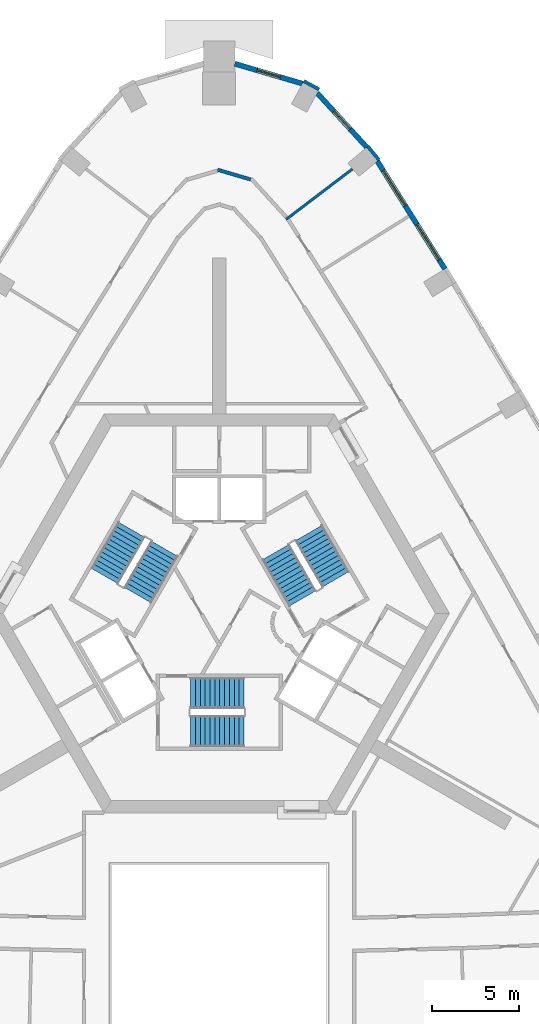
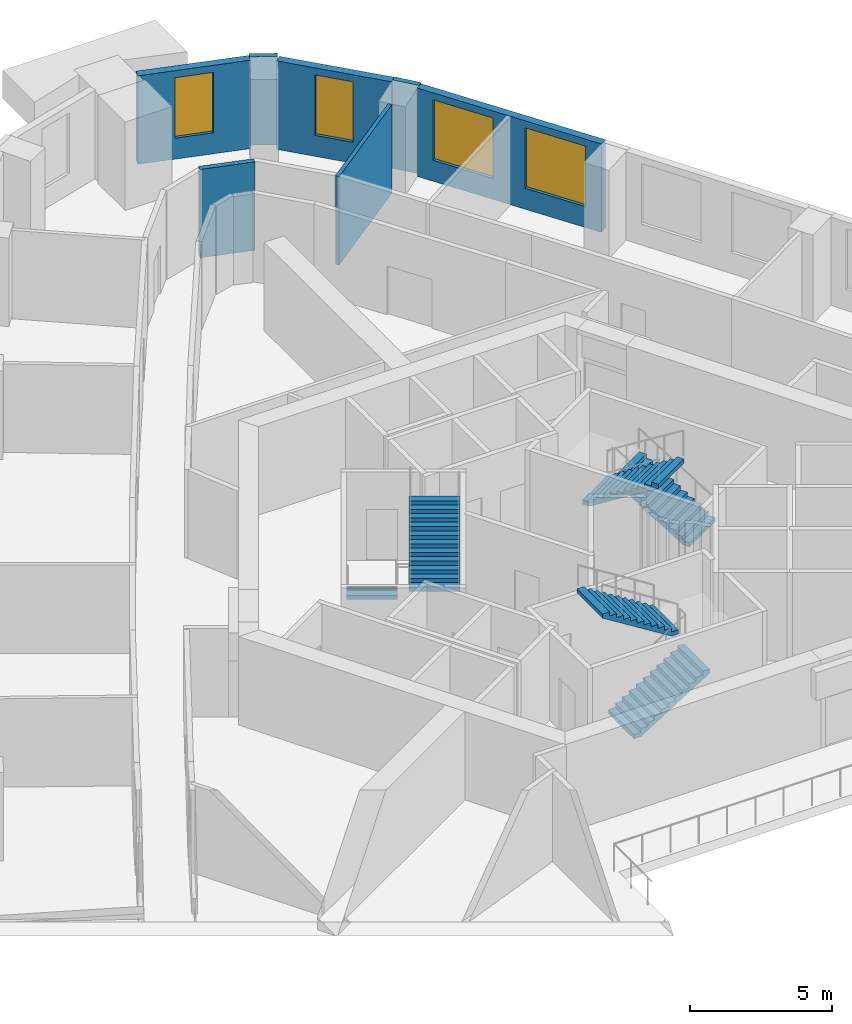
# One storey, part 10 of 13: 7 walls, 6 stair flights, 4 windows, 4 openings, 3 elements without a shape of their own.
"""IFC4 building model written with IfcOpenShell, lengths in metres."""

from ifc_helpers import new_model, si_unit, direction, frame, frame_2d, origin, place, context, subcontext, project, spatial, polyline, rectangle, outline, extrude, material, layer, layer_set, type_object, element, fill, aggregate, save


model = new_model("IFC4")

# Units and contexts
model_context = context("Model", 3, precision=1e-05, world=origin(), true_north=direction((0.0, 1.0)))
body_context = subcontext(model_context, "Body", "Model", "MODEL_VIEW")
ifc_project = project(units=[si_unit("LENGTHUNIT", "METRE"), si_unit("AREAUNIT", "SQUARE_METRE"), si_unit("VOLUMEUNIT", "CUBIC_METRE"), si_unit("PLANEANGLEUNIT", "RADIAN"), si_unit("MASSUNIT", "GRAM", prefix="KILO")], contexts=[model_context])

# Site, building, storey
site_placement = place(None, origin())
site = spatial("IfcSite", under=ifc_project, at=site_placement, CompositionType="ELEMENT")
building_placement = place(site_placement, origin())
building = spatial("IfcBuilding", under=site, at=building_placement, Name="Entoto Arch Interchange Tower", CompositionType="ELEMENT")
storey_placement = place(building_placement, frame((0.0, 0.0, 223.39990234375)))
storey = spatial("IfcBuildingStorey", under=building, at=storey_placement, Name="L50", CompositionType="ELEMENT", Elevation=223.39990234375)

# Walls
ifc_material_1 = material(Name="Gypsum board partition on steel studs", Category="steel")
ifc_layer_1 = layer(ifc_material_1, 0.14990234375)
ifc_layer_set_1 = layer_set([ifc_layer_1], Name="Gypsum board partition on steel studs")
wall_type_1 = type_object("IfcWallType", Name="PARTITION 150", PredefinedType="PARTITIONING", material=ifc_layer_set_1)
wall_1_placement = place(storey_placement, frame((3.85595703125, 25.22509765625, 0.0), z_axis=(0.0, 0.0, 1.0), x_axis=(0.795987848728, 0.605312600792, 0.0)))
element("IfcWall", 1, at=wall_1_placement, inside=storey, type_object=wall_type_1, Name="wall:L50:p122", PredefinedType="PARTITIONING", context=body_context, shape_type="SweptSolid", body=[
    extrude(rectangle(XDim=4.803955078125, YDim=0.14990234375, at=frame_2d((2.40185546875, 0.0))), origin(), (0.0, 0.0, 1.0), 3.800048828125),
])
ifc_layer_2 = layer(ifc_material_1, 0.199951171875)
ifc_layer_set_2 = layer_set([ifc_layer_2], Name="Gypsum board partition on steel studs")
wall_type_2 = type_object("IfcWallType", Name="PARTITION 200", PredefinedType="PARTITIONING", material=ifc_layer_set_2)
wall_2_placement = place(storey_placement, frame((-0.095947265625, 28.093994140625, 0.0), z_axis=(0.0, 0.0, 1.0), x_axis=(0.959422144877, -0.281973665293, 0.0)))
element("IfcWall", 2, at=wall_2_placement, inside=storey, type_object=wall_type_2, Name="wall:L50:p050", PredefinedType="PARTITIONING", context=body_context, shape_type="SweptSolid", body=[
    extrude(rectangle(XDim=1.98974609375, YDim=0.199951171875, at=frame_2d((0.994873046875, 0.0))), origin(), (0.0, 0.0, 1.0), 3.800048828125),
])

# Wall, openings, windows
ifc_material_2 = material(Name="Welded tuff (ignimbrite) cladding, warm buff", Category="masonry")
ifc_layer_3 = layer(ifc_material_2, 0.300048828125)
ifc_layer_set_3 = layer_set([ifc_layer_3], Name="Welded tuff (ignimbrite) cladding, warm buff")
wall_type_3 = type_object("IfcWallType", Name="STONE INFILL WALL 300", PredefinedType="STANDARD", material=ifc_layer_set_3)
wall_3_placement = place(storey_placement, frame((13.02099609375, 22.3740234375, 0.0), z_axis=(0.0, 0.0, 1.0), x_axis=(-0.531239262679, 0.847221839773, 0.0)))
wall_3 = element("IfcWall", 3, at=wall_3_placement, inside=storey, type_object=wall_type_3, Name="Facade wall NE-05 L50", PredefinedType="STANDARD", context=body_context, shape_type="SweptSolid", body=[
    extrude(rectangle(XDim=7.33935546875, YDim=0.300048828125, at=frame_2d((3.669677734375, 0.0))), origin(), (0.0, 0.0, 1.0), 3.800048828125),
])
opening_1_placement = place(wall_3_placement, frame((0.635009765625, 0.0, 0.89990234375)))
opening_1 = element("IfcOpeningElement", 4, at=opening_1_placement, cuts=wall_3, Name="Opening WO-A", PredefinedType="OPENING", context=body_context, shape_type="SweptSolid", body=[
    extrude(rectangle(XDim=2.39990234375, YDim=2.60009765625, at=frame_2d((1.199951171875, 1.300048828125))), frame((0.0, 0.16015625, 0.0), z_axis=(0.0, -1.0, 0.0), x_axis=(1.0, 0.0, 0.0)), (0.0, 0.0, 1.0), 0.320068359375),
])
opening_2_placement = place(wall_3_placement, frame((4.303955078125, 0.0, 0.89990234375)))
opening_2 = element("IfcOpeningElement", 5, at=opening_2_placement, cuts=wall_3, Name="Opening WO-A", PredefinedType="OPENING", context=body_context, shape_type="SweptSolid", body=[
    extrude(rectangle(XDim=2.39990234375, YDim=2.60009765625, at=frame_2d((1.199951171875, 1.300048828125))), frame((0.0, 0.16015625, 0.0), z_axis=(0.0, -1.0, 0.0), x_axis=(1.0, 0.0, 0.0)), (0.0, 0.0, 1.0), 0.320068359375),
])
ifc_material_3 = material(Name="Clear glass, low-e double glazed", Category="glass")
window_type_1 = type_object("IfcWindowType", Name="WINDOW WO-A 2400x2600", PartitioningType="DOUBLE_PANEL_VERTICAL", PredefinedType="WINDOW", material=ifc_material_3)
window_1_placement = place(opening_1_placement, origin())
window_1 = element("IfcWindow", 6, at=window_1_placement, inside=storey, type_object=window_type_1, Name="Window WO-A NE-05 L50", OverallHeight=2.60009765625, OverallWidth=2.39990234375, PartitioningType="SINGLE_PANEL", PredefinedType="WINDOW", context=body_context, shape_type="SweptSolid", body=[
    extrude(rectangle(XDim=2.39990234375, YDim=2.60009765625, at=frame_2d((1.199951171875, 1.300048828125))), frame((0.0, 0.030029296875, 0.0), z_axis=(0.0, -1.0, 0.0), x_axis=(1.0, 0.0, 0.0)), (0.0, 0.0, 1.0), 0.06005859375),
])
fill(opening_1, window_1)
window_2_placement = place(opening_2_placement, origin())
window_2 = element("IfcWindow", 7, at=window_2_placement, inside=storey, type_object=window_type_1, Name="Window WO-A NE-05 L50", OverallHeight=2.60009765625, OverallWidth=2.39990234375, PartitioningType="SINGLE_PANEL", PredefinedType="WINDOW", context=body_context, shape_type="SweptSolid", body=[
    extrude(rectangle(XDim=2.39990234375, YDim=2.60009765625, at=frame_2d((1.199951171875, 1.300048828125))), frame((0.0, 0.030029296875, 0.0), z_axis=(0.0, -1.0, 0.0), x_axis=(1.0, 0.0, 0.0)), (0.0, 0.0, 1.0), 0.06005859375),
])
fill(opening_2, window_2)

# Wall, opening, window
wall_4_placement = place(storey_placement, frame((8.51806640625, 29.387939453125, 0.0), z_axis=(0.0, 0.0, 1.0), x_axis=(-0.674487390017, 0.738286367684, 0.0)))
wall_4 = element("IfcWall", 8, at=wall_4_placement, inside=storey, type_object=wall_type_3, Name="Facade wall N-01 L50", PredefinedType="STANDARD", context=body_context, shape_type="SweptSolid", body=[
    extrude(rectangle(XDim=4.24755859375, YDim=0.300048828125, at=frame_2d((2.123779296875, 0.0))), origin(), (0.0, 0.0, 1.0), 3.800048828125),
])
opening_3_placement = place(wall_4_placement, frame((1.424072265625, 0.0, 0.89990234375)))
opening_3 = element("IfcOpeningElement", 9, at=opening_3_placement, cuts=wall_4, Name="Opening WO-B", PredefinedType="OPENING", context=body_context, shape_type="SweptSolid", body=[
    extrude(rectangle(XDim=1.39990234375, YDim=2.60009765625, at=frame_2d((0.699951171875, 1.300048828125))), frame((0.0, 0.16015625, 0.0), z_axis=(0.0, -1.0, 0.0), x_axis=(1.0, 0.0, 0.0)), (0.0, 0.0, 1.0), 0.320068359375),
])
window_type_2 = type_object("IfcWindowType", Name="WINDOW WO-B 1400x2600", PartitioningType="DOUBLE_PANEL_VERTICAL", PredefinedType="WINDOW", material=ifc_material_3)
window_3_placement = place(opening_3_placement, origin())
window_3 = element("IfcWindow", 10, at=window_3_placement, inside=storey, type_object=window_type_2, Name="Window WO-B N-01 L50", OverallHeight=2.60009765625, OverallWidth=1.39990234375, PartitioningType="SINGLE_PANEL", PredefinedType="WINDOW", context=body_context, shape_type="SweptSolid", body=[
    extrude(rectangle(XDim=1.39990234375, YDim=2.60009765625, at=frame_2d((0.699951171875, 1.300048828125))), frame((0.0, 0.030029296875, 0.0), z_axis=(0.0, -1.0, 0.0), x_axis=(1.0, 0.0, 0.0)), (0.0, 0.0, 1.0), 0.06005859375),
])
fill(opening_3, window_3)

wall_5_placement = place(storey_placement, frame((4.81005859375, 33.06201171875, 0.0), z_axis=(0.0, 0.0, 1.0), x_axis=(-0.959458909918, 0.281848541203, 0.0)))
wall_5 = element("IfcWall", 11, at=wall_5_placement, inside=storey, type_object=wall_type_3, Name="Facade wall N-02 L50", PredefinedType="STANDARD", context=body_context, shape_type="SweptSolid", body=[
    extrude(rectangle(XDim=4.076416015625, YDim=0.300048828125, at=frame_2d((2.0380859375, 0.0))), origin(), (0.0, 0.0, 1.0), 3.800048828125),
])
opening_4_placement = place(wall_5_placement, frame((1.337890625, 0.0, 0.89990234375)))
opening_4 = element("IfcOpeningElement", 12, at=opening_4_placement, cuts=wall_5, Name="Opening WO-B", PredefinedType="OPENING", context=body_context, shape_type="SweptSolid", body=[
    extrude(rectangle(XDim=1.39990234375, YDim=2.60009765625, at=frame_2d((0.699951171875, 1.300048828125))), frame((0.0, 0.16015625, 0.0), z_axis=(0.0, -1.0, 0.0), x_axis=(1.0, 0.0, 0.0)), (0.0, 0.0, 1.0), 0.320068359375),
])
window_4_placement = place(opening_4_placement, origin())
window_4 = element("IfcWindow", 13, at=window_4_placement, inside=storey, type_object=window_type_2, Name="Window WO-B N-02 L50", OverallHeight=2.60009765625, OverallWidth=1.39990234375, PartitioningType="SINGLE_PANEL", PredefinedType="WINDOW", context=body_context, shape_type="SweptSolid", body=[
    extrude(rectangle(XDim=1.39990234375, YDim=2.60009765625, at=frame_2d((0.699951171875, 1.300048828125))), frame((0.0, 0.030029296875, 0.0), z_axis=(0.0, -1.0, 0.0), x_axis=(1.0, 0.0, 0.0)), (0.0, 0.0, 1.0), 0.06005859375),
])
fill(opening_4, window_4)

# Walls
ifc_layer_4 = layer(ifc_material_2, 0.199951171875)
ifc_layer_set_4 = layer_set([ifc_layer_4], Name="Welded tuff (ignimbrite) cladding, warm buff")
wall_type_4 = type_object("IfcWallType", Name="STONE PIER CLADDING 200", PredefinedType="STANDARD", material=ifc_layer_set_4)
wall_6_placement = place(storey_placement, frame((5.763916015625, 32.72607421875, 0.0), z_axis=(0.0, 0.0, 1.0), x_axis=(-0.878250009632, 0.478201757191, 0.0)))
element("IfcWall", 14, at=wall_6_placement, inside=storey, type_object=wall_type_4, Name="Stone pier N1 L50", PredefinedType="STANDARD", context=body_context, shape_type="SweptSolid", body=[
    extrude(rectangle(XDim=0.999755859375, YDim=0.199951171875, at=frame_2d((0.5, 0.0))), origin(), (0.0, 0.0, 1.0), 3.800048828125),
])
wall_7_placement = place(storey_placement, frame((9.212890625, 28.666015625, 0.0), z_axis=(0.0, 0.0, 1.0), x_axis=(-0.637972365578, 0.770059257953, 0.0)))
element("IfcWall", 15, at=wall_7_placement, inside=storey, type_object=wall_type_4, Name="Stone pier NE06 L50", PredefinedType="STANDARD", context=body_context, shape_type="SweptSolid", body=[
    extrude(rectangle(XDim=1.0, YDim=0.199951171875, at=frame_2d((0.5, 0.0))), origin(), (0.0, 0.0, 1.0), 3.800048828125),
])

# Stair, stair flights
ifc_material_4 = material(Name="Concrete C40/50", Category="concrete")
stair_type = type_object("IfcStairType", Name="EXIT STAIR RC 1800", PredefinedType="HALF_TURN_STAIR", material=ifc_material_4)
stair_1_placement = place(storey_placement, origin())
stair_1 = element("IfcStair", 16, at=stair_1_placement, inside=storey, type_object=stair_type, Name="L50 Exit stair S", PredefinedType="HALF_TURN_STAIR")
stair_flight_type = type_object("IfcStairFlightType", Name="EXIT STAIR FLIGHT RC 1800", PredefinedType="STRAIGHT", material=ifc_material_4)
stair_flight_1_placement = place(storey_placement, frame((-1.64990234375, -4.300048828125, 0.0), z_axis=(0.0, 0.0, 1.0), x_axis=(1.0, 0.0, 0.0)))
stair_flight_1 = element("IfcStairFlight", 17, at=stair_flight_1_placement, type_object=stair_flight_type, Name="ST-S flight 1", NumberOfRisers=12, NumberOfTreads=11, PredefinedType="STRAIGHT", RiserHeight=0.175, TreadLength=0.28, context=body_context, shape_type="SweptSolid", body=[
    extrude(outline(polyline([(-0.0029296875, 0.0), (-0.0029296875, 0.175048828125), (0.280029296875, 0.175048828125), (0.280029296875, 0.35009765625), (0.56005859375, 0.35009765625), (0.56005859375, 0.52490234375), (0.840087890625, 0.52490234375), (0.840087890625, 0.699951171875), (1.1201171875, 0.699951171875), (1.1201171875, 0.875), (1.39990234375, 0.875), (1.39990234375, 1.050048828125), (1.679931640625, 1.050048828125), (1.679931640625, 1.22509765625), (1.9599609375, 1.22509765625), (1.9599609375, 1.39990234375), (2.239990234375, 1.39990234375), (2.239990234375, 1.574951171875), (2.52001953125, 1.574951171875), (2.52001953125, 1.75), (2.800048828125, 1.75), (2.800048828125, 1.925048828125), (3.080078125, 1.925048828125), (3.0830078125, 1.925048828125), (3.0830078125, 1.75), (0.28271484375, 0.0), (-0.0029296875, 0.0)])), frame((0.0, 0.89990234375, 0.0), z_axis=(0.0, -1.0, 0.0), x_axis=(1.0, 0.0, 0.0)), (0.0, 0.0, 1.0), 1.800048828125),
])
stair_flight_2_placement = place(storey_placement, frame((1.429931640625, -2.10009765625, 2.10009765625), z_axis=(0.0, 0.0, 1.0), x_axis=(-1.0, 0.0, 0.0)))
stair_flight_2 = element("IfcStairFlight", 18, at=stair_flight_2_placement, type_object=stair_flight_type, Name="ST-S flight 2", NumberOfRisers=12, NumberOfTreads=11, PredefinedType="STRAIGHT", RiserHeight=0.175, TreadLength=0.28, context=body_context, shape_type="SweptSolid", body=[
    extrude(outline(polyline([(-0.0029296875, 0.0), (-0.0029296875, 0.175048828125), (0.280029296875, 0.175048828125), (0.280029296875, 0.35009765625), (0.56005859375, 0.35009765625), (0.56005859375, 0.52490234375), (0.840087890625, 0.52490234375), (0.840087890625, 0.699951171875), (1.1201171875, 0.699951171875), (1.1201171875, 0.875), (1.39990234375, 0.875), (1.39990234375, 1.050048828125), (1.679931640625, 1.050048828125), (1.679931640625, 1.22509765625), (1.9599609375, 1.22509765625), (1.9599609375, 1.39990234375), (2.239990234375, 1.39990234375), (2.239990234375, 1.574951171875), (2.52001953125, 1.574951171875), (2.52001953125, 1.75), (2.800048828125, 1.75), (2.800048828125, 1.925048828125), (3.080078125, 1.925048828125), (3.0830078125, 1.925048828125), (3.0830078125, 1.75), (0.28271484375, 0.0), (-0.0029296875, 0.0)])), frame((0.0, 0.89990234375, 0.0), z_axis=(0.0, -1.0, 0.0), x_axis=(1.0, 0.0, 0.0)), (0.0, 0.0, 1.0), 1.800048828125),
])
aggregate(stair_1, [stair_flight_1, stair_flight_2])

stair_2_placement = place(storey_placement, origin())
stair_2 = element("IfcStair", 19, at=stair_2_placement, inside=storey, type_object=stair_type, Name="L50 Exit stair NE", PredefinedType="HALF_TURN_STAIR")
stair_flight_3_placement = place(storey_placement, frame((6.7138671875, 4.470947265625, 0.0), z_axis=(0.0, 0.0, 1.0), x_axis=(-0.5, 0.866025403784, 0.0)))
stair_flight_3 = element("IfcStairFlight", 20, at=stair_flight_3_placement, type_object=stair_flight_type, Name="ST-NE flight 1", NumberOfRisers=12, NumberOfTreads=11, PredefinedType="STRAIGHT", RiserHeight=0.175, TreadLength=0.28, context=body_context, shape_type="SweptSolid", body=[
    extrude(outline(polyline([(-0.0029296875, 0.0), (-0.0029296875, 0.175048828125), (0.280029296875, 0.175048828125), (0.280029296875, 0.35009765625), (0.56005859375, 0.35009765625), (0.56005859375, 0.52490234375), (0.840087890625, 0.52490234375), (0.840087890625, 0.699951171875), (1.1201171875, 0.699951171875), (1.1201171875, 0.875), (1.39990234375, 0.875), (1.39990234375, 1.050048828125), (1.679931640625, 1.050048828125), (1.679931640625, 1.22509765625), (1.9599609375, 1.22509765625), (1.9599609375, 1.39990234375), (2.239990234375, 1.39990234375), (2.239990234375, 1.574951171875), (2.52001953125, 1.574951171875), (2.52001953125, 1.75), (2.800048828125, 1.75), (2.800048828125, 1.925048828125), (3.080078125, 1.925048828125), (3.0830078125, 1.925048828125), (3.0830078125, 1.75), (0.28271484375, 0.0), (-0.0029296875, 0.0)])), frame((0.0, 0.89990234375, 0.0), z_axis=(0.0, -1.0, 0.0), x_axis=(1.0, 0.0, 0.0)), (0.0, 0.0, 1.0), 1.800048828125),
])
stair_flight_4_placement = place(storey_placement, frame((3.268798828125, 6.038330078125, 2.10009765625), z_axis=(0.0, 0.0, 1.0), x_axis=(0.5, -0.866025403784, 0.0)))
stair_flight_4 = element("IfcStairFlight", 21, at=stair_flight_4_placement, type_object=stair_flight_type, Name="ST-NE flight 2", NumberOfRisers=12, NumberOfTreads=11, PredefinedType="STRAIGHT", RiserHeight=0.175, TreadLength=0.28, context=body_context, shape_type="SweptSolid", body=[
    extrude(outline(polyline([(-0.0029296875, 0.0), (-0.0029296875, 0.175048828125), (0.280029296875, 0.175048828125), (0.280029296875, 0.35009765625), (0.56005859375, 0.35009765625), (0.56005859375, 0.52490234375), (0.840087890625, 0.52490234375), (0.840087890625, 0.699951171875), (1.1201171875, 0.699951171875), (1.1201171875, 0.875), (1.39990234375, 0.875), (1.39990234375, 1.050048828125), (1.679931640625, 1.050048828125), (1.679931640625, 1.22509765625), (1.9599609375, 1.22509765625), (1.9599609375, 1.39990234375), (2.239990234375, 1.39990234375), (2.239990234375, 1.574951171875), (2.52001953125, 1.574951171875), (2.52001953125, 1.75), (2.800048828125, 1.75), (2.800048828125, 1.925048828125), (3.080078125, 1.925048828125), (3.0830078125, 1.925048828125), (3.0830078125, 1.75), (0.28271484375, 0.0), (-0.0029296875, 0.0)])), frame((0.0, 0.89990234375, 0.0), z_axis=(0.0, -1.0, 0.0), x_axis=(1.0, 0.0, 0.0)), (0.0, 0.0, 1.0), 1.800048828125),
])
aggregate(stair_2, [stair_flight_3, stair_flight_4])

stair_3_placement = place(storey_placement, origin())
stair_3 = element("IfcStair", 22, at=stair_3_placement, inside=storey, type_object=stair_type, Name="L50 Exit stair NW", PredefinedType="HALF_TURN_STAIR")
stair_flight_5_placement = place(storey_placement, frame((-5.06396484375, 7.328857421875, 0.0), z_axis=(0.0, 0.0, 1.0), x_axis=(-0.5, -0.866025403784, 0.0)))
stair_flight_5 = element("IfcStairFlight", 23, at=stair_flight_5_placement, type_object=stair_flight_type, Name="ST-NW flight 1", NumberOfRisers=12, NumberOfTreads=11, PredefinedType="STRAIGHT", RiserHeight=0.175, TreadLength=0.28, context=body_context, shape_type="SweptSolid", body=[
    extrude(outline(polyline([(-0.0029296875, 0.0), (-0.0029296875, 0.175048828125), (0.280029296875, 0.175048828125), (0.280029296875, 0.35009765625), (0.56005859375, 0.35009765625), (0.56005859375, 0.52490234375), (0.840087890625, 0.52490234375), (0.840087890625, 0.699951171875), (1.1201171875, 0.699951171875), (1.1201171875, 0.875), (1.39990234375, 0.875), (1.39990234375, 1.050048828125), (1.679931640625, 1.050048828125), (1.679931640625, 1.22509765625), (1.9599609375, 1.22509765625), (1.9599609375, 1.39990234375), (2.239990234375, 1.39990234375), (2.239990234375, 1.574951171875), (2.52001953125, 1.574951171875), (2.52001953125, 1.75), (2.800048828125, 1.75), (2.800048828125, 1.925048828125), (3.080078125, 1.925048828125), (3.0830078125, 1.925048828125), (3.0830078125, 1.75), (0.28271484375, 0.0), (-0.0029296875, 0.0)])), frame((0.0, 0.89990234375, 0.0), z_axis=(0.0, -1.0, 0.0), x_axis=(1.0, 0.0, 0.0)), (0.0, 0.0, 1.0), 1.800048828125),
])
stair_flight_6_placement = place(storey_placement, frame((-4.69873046875, 3.5615234375, 2.10009765625), z_axis=(0.0, 0.0, 1.0), x_axis=(0.5, 0.866025403784, 0.0)))
stair_flight_6 = element("IfcStairFlight", 24, at=stair_flight_6_placement, type_object=stair_flight_type, Name="ST-NW flight 2", NumberOfRisers=12, NumberOfTreads=11, PredefinedType="STRAIGHT", RiserHeight=0.175, TreadLength=0.28, context=body_context, shape_type="SweptSolid", body=[
    extrude(outline(polyline([(-0.0029296875, 0.0), (-0.0029296875, 0.175048828125), (0.280029296875, 0.175048828125), (0.280029296875, 0.35009765625), (0.56005859375, 0.35009765625), (0.56005859375, 0.52490234375), (0.840087890625, 0.52490234375), (0.840087890625, 0.699951171875), (1.1201171875, 0.699951171875), (1.1201171875, 0.875), (1.39990234375, 0.875), (1.39990234375, 1.050048828125), (1.679931640625, 1.050048828125), (1.679931640625, 1.22509765625), (1.9599609375, 1.22509765625), (1.9599609375, 1.39990234375), (2.239990234375, 1.39990234375), (2.239990234375, 1.574951171875), (2.52001953125, 1.574951171875), (2.52001953125, 1.75), (2.800048828125, 1.75), (2.800048828125, 1.925048828125), (3.080078125, 1.925048828125), (3.0830078125, 1.925048828125), (3.0830078125, 1.75), (0.28271484375, 0.0), (-0.0029296875, 0.0)])), frame((0.0, 0.89990234375, 0.0), z_axis=(0.0, -1.0, 0.0), x_axis=(1.0, 0.0, 0.0)), (0.0, 0.0, 1.0), 1.800048828125),
])
aggregate(stair_3, [stair_flight_5, stair_flight_6])

save(model, "model.ifc")
